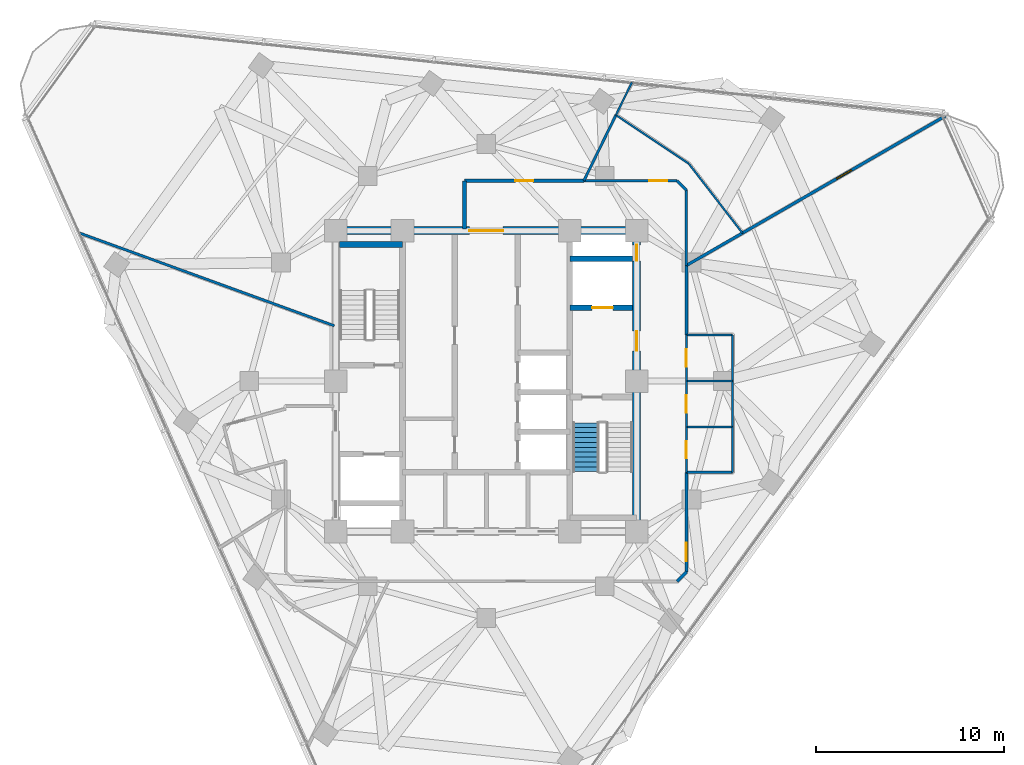
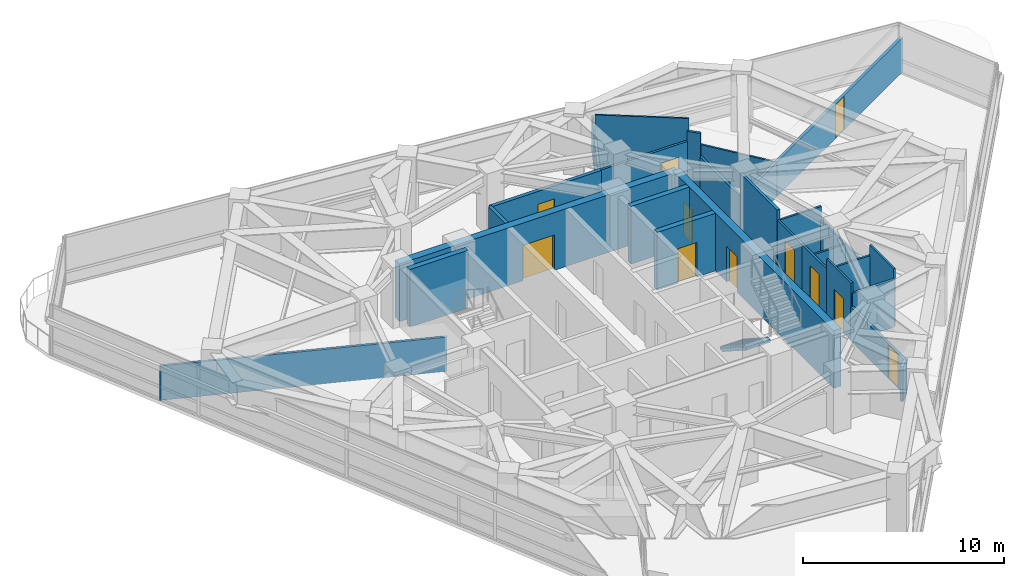
# One storey, part 9 of 14: 30 walls, 11 doors, 1 stair flight, 11 openings, 1 element without a shape of its own.
"""IFC4 building model written with IfcOpenShell, lengths in metres."""

from ifc_helpers import new_model, si_unit, direction, frame, frame_2d, origin, place, context, subcontext, project, spatial, polyline, rectangle, outline, extrude, material, layer, layer_set, type_object, element, fill, aggregate, save


model = new_model("IFC4")

# Units and contexts
model_context = context("Model", 3, precision=1e-05, world=origin(), true_north=direction((0.0, 1.0)))
body_context = subcontext(model_context, "Body", "Model", "MODEL_VIEW")
ifc_project = project(units=[si_unit("LENGTHUNIT", "METRE"), si_unit("AREAUNIT", "SQUARE_METRE"), si_unit("VOLUMEUNIT", "CUBIC_METRE"), si_unit("PLANEANGLEUNIT", "RADIAN"), si_unit("MASSUNIT", "GRAM", prefix="KILO")], contexts=[model_context])

# Site, building, storey
site_placement = place(None, origin())
site = spatial("IfcSite", under=ifc_project, at=site_placement, CompositionType="ELEMENT")
building_placement = place(site_placement, origin())
building = spatial("IfcBuilding", under=site, at=building_placement, Name="Terralouvre Media Tower", CompositionType="ELEMENT")
storey_placement = place(building_placement, frame((0.0, 0.0, 244.800048828125)))
storey = spatial("IfcBuildingStorey", under=building, at=storey_placement, Name="L63", CompositionType="ELEMENT", Elevation=244.800048828125)

# Wall
ifc_material_1 = material(Name="Concrete C50/60", Category="concrete")
ifc_layer_1 = layer(ifc_material_1, 0.300048828125, Name="Core Internal Shaft Wall CW-300")
ifc_layer_set_1 = layer_set([ifc_layer_1], Name="Concrete C50/60")
wall_type_1 = type_object("IfcWallType", Name="Core Internal Shaft Wall CW-300", PredefinedType="SHEAR", material=ifc_layer_set_1)
wall_1_placement = place(storey_placement, frame((-7.7900390625, 7.260009765625, 0.0), z_axis=(0.0, 0.0, 1.0), x_axis=(1.0, 0.0, 0.0)))
element("IfcWall", 1, at=wall_1_placement, inside=storey, type_object=wall_type_1, Name="L63 Core Shaft Wall ST1F", PredefinedType="SHEAR", context=body_context, shape_type="SweptSolid", body=[
    extrude(rectangle(XDim=3.340087890625, YDim=0.300048828125, at=frame_2d((1.669921875, 0.0))), origin(), (0.0, 0.0, 1.0), 3.5),
])

# Wall, opening, door
wall_2_placement = place(storey_placement, frame((4.449951171875, 3.89990234375, 0.0), z_axis=(0.0, 0.0, 1.0), x_axis=(1.0, 0.0, 0.0)))
wall_2 = element("IfcWall", 2, at=wall_2_placement, inside=storey, type_object=wall_type_1, Name="L63 Core Shaft Wall FF2S", PredefinedType="SHEAR", context=body_context, shape_type="SweptSolid", body=[
    extrude(rectangle(XDim=3.340087890625, YDim=0.300048828125, at=frame_2d((1.669921875, 0.0))), origin(), (0.0, 0.0, 1.0), 3.5),
])
opening_1_placement = place(wall_2_placement, frame((1.179931640625, 0.0, 0.0)))
opening_1 = element("IfcOpeningElement", 3, at=opening_1_placement, cuts=wall_2, Name="Opening LD-FF", PredefinedType="OPENING", context=body_context, shape_type="SweptSolid", body=[
    extrude(rectangle(XDim=1.10009765625, YDim=2.10009765625, at=frame_2d((0.550048828125, 1.050048828125))), frame((0.0, 0.159912109375, 0.0), z_axis=(0.0, -1.0, 0.0), x_axis=(1.0, 0.0, 0.0)), (0.0, 0.0, 1.0), 0.320068359375),
])
ifc_material_2 = material(Name="Stainless steel 316 handrail and balustrade", Category="steel")
door_type_1 = type_object("IfcDoorType", Name="Firefighting Lift Sliding Landing Door LD-FF", OperationType="SLIDING_TO_LEFT", PredefinedType="DOOR", material=ifc_material_2)
door_1_placement = place(opening_1_placement, origin())
door_1 = element("IfcDoor", 4, at=door_1_placement, inside=storey, type_object=door_type_1, Name="L63 Firefighting Lift FFL-02 Landing Door", OperationType="SLIDING_TO_LEFT", OverallHeight=2.10009765625, OverallWidth=1.10009765625, PredefinedType="DOOR", context=body_context, shape_type="SweptSolid", body=[
    extrude(rectangle(XDim=1.10009765625, YDim=2.10009765625, at=frame_2d((0.550048828125, 1.050048828125))), frame((0.0, 0.02490234375, 0.0), z_axis=(0.0, -1.0, 0.0), x_axis=(1.0, 0.0, 0.0)), (0.0, 0.0, 1.0), 0.050048828125),
])
fill(opening_1, door_1)

# Wall
wall_3_placement = place(storey_placement, frame((4.449951171875, 6.5, 0.0), z_axis=(0.0, 0.0, 1.0), x_axis=(1.0, 0.0, 0.0)))
element("IfcWall", 5, at=wall_3_placement, inside=storey, type_object=wall_type_1, Name="L63 Core Shaft Wall FF2N", PredefinedType="SHEAR", context=body_context, shape_type="SweptSolid", body=[
    extrude(rectangle(XDim=3.340087890625, YDim=0.300048828125, at=frame_2d((1.669921875, 0.0))), origin(), (0.0, 0.0, 1.0), 3.5),
])

# Wall, openings, doors
ifc_material_3 = material(Name="Concrete C60/75", Category="concrete")
ifc_layer_2 = layer(ifc_material_3, 0.419921875, Name="Core Reinforced Concrete Shear Wall CW-420")
ifc_layer_set_2 = layer_set([ifc_layer_2], Name="Concrete C60/75")
wall_type_2 = type_object("IfcWallType", Name="Core Reinforced Concrete Shear Wall CW-420", PredefinedType="SHEAR", material=ifc_layer_set_2)
wall_4_placement = place(storey_placement, frame((8.0, -8.0, 0.0), z_axis=(0.0, 0.0, 1.0), x_axis=(0.0, 1.0, 0.0)))
wall_4 = element("IfcWall", 6, at=wall_4_placement, inside=storey, type_object=wall_type_2, Name="L63 E Core Shear Wall", PredefinedType="SHEAR", context=body_context, shape_type="SweptSolid", body=[
    extrude(rectangle(XDim=16.0, YDim=0.419921875, at=frame_2d((8.0, 0.0))), origin(), (0.0, 0.0, 1.0), 3.5),
])
opening_2_placement = place(wall_4_placement, frame((9.60009765625, 0.0, 0.0)))
opening_2 = element("IfcOpeningElement", 7, at=opening_2_placement, cuts=wall_4, Name="Opening FD-01-105X215", PredefinedType="OPENING", context=body_context, shape_type="SweptSolid", body=[
    extrude(rectangle(XDim=1.050048828125, YDim=2.14990234375, at=frame_2d((0.52490234375, 1.074951171875))), frame((0.0, 0.219970703125, 0.0), z_axis=(0.0, -1.0, 0.0), x_axis=(1.0, 0.0, 0.0)), (0.0, 0.0, 1.0), 0.43994140625),
])
opening_3_placement = place(wall_4_placement, frame((14.388671875, 0.0, 0.0)))
opening_3 = element("IfcOpeningElement", 8, at=opening_3_placement, cuts=wall_4, Name="Opening TD-R1", PredefinedType="OPENING", context=body_context, shape_type="SweptSolid", body=[
    extrude(rectangle(XDim=0.85009765625, YDim=2.02001953125, at=frame_2d((0.425048828125, 1.010009765625))), frame((0.0, 0.219970703125, 0.0), z_axis=(0.0, -1.0, 0.0), x_axis=(1.0, 0.0, 0.0)), (0.0, 0.0, 1.0), 0.43994140625),
])
ifc_material_4 = material(Name="Galvanised steel fire-resisting leaf", Category="steel")
door_type_2 = type_object("IfcDoorType", Name="Riser Inspection Access Trapdoor TD-R1", OperationType="NOTDEFINED", PredefinedType="TRAPDOOR", material=ifc_material_4)
door_2_placement = place(opening_3_placement, origin())
door_2 = element("IfcDoor", 9, at=door_2_placement, inside=storey, type_object=door_type_2, Name="L63 East Comms Riser Access Trapdoor", OperationType="SINGLE_SWING_RIGHT", OverallHeight=2.02001953125, OverallWidth=0.85009765625, PredefinedType="TRAPDOOR", context=body_context, shape_type="SweptSolid", body=[
    extrude(rectangle(XDim=0.85009765625, YDim=2.02001953125, at=frame_2d((0.425048828125, 1.010009765625))), frame((0.0, 0.02490234375, 0.0), z_axis=(0.0, -1.0, 0.0), x_axis=(1.0, 0.0, 0.0)), (0.0, 0.0, 1.0), 0.050048828125),
])
fill(opening_3, door_2)
ifc_material_5 = material(Name="Galvanised steel fire-resisting leaf", Category="steel")
door_type_3 = type_object("IfcDoorType", Name="Stair and Firefighting Lobby Fire Door FD-01 (1050x2150)", OperationType="NOTDEFINED", PredefinedType="DOOR", material=ifc_material_5)
door_3_placement = place(opening_2_placement, origin())
door_3 = element("IfcDoor", 10, at=door_3_placement, inside=storey, type_object=door_type_3, Name="L63 East Firefighting Lobby Entry Door", OperationType="SINGLE_SWING_LEFT", OverallHeight=2.14990234375, OverallWidth=1.050048828125, PredefinedType="DOOR", context=body_context, shape_type="SweptSolid", body=[
    extrude(rectangle(XDim=1.050048828125, YDim=2.14990234375, at=frame_2d((0.52490234375, 1.074951171875))), frame((0.0, 0.02490234375, 0.0), z_axis=(0.0, -1.0, 0.0), x_axis=(1.0, 0.0, 0.0)), (0.0, 0.0, 1.0), 0.050048828125),
])
fill(opening_2, door_3)

# Wall, opening, door
wall_5_placement = place(storey_placement, frame((-8.0, 8.0, 0.0), z_axis=(0.0, 0.0, 1.0), x_axis=(1.0, 0.0, 0.0)))
wall_5 = element("IfcWall", 11, at=wall_5_placement, inside=storey, type_object=wall_type_2, Name="L63 N Core Shear Wall", PredefinedType="SHEAR", context=body_context, shape_type="SweptSolid", body=[
    extrude(rectangle(XDim=16.0, YDim=0.419921875, at=frame_2d((8.0, 0.0))), origin(), (0.0, 0.0, 1.0), 3.5),
])
opening_4_placement = place(wall_5_placement, frame((7.10009765625, 0.0, 0.0)))
opening_4 = element("IfcOpeningElement", 12, at=opening_4_placement, cuts=wall_5, Name="Opening FD-03", PredefinedType="OPENING", context=body_context, shape_type="SweptSolid", body=[
    extrude(rectangle(XDim=1.800048828125, YDim=2.14990234375, at=frame_2d((0.89990234375, 1.074951171875))), frame((0.0, 0.219970703125, 0.0), z_axis=(0.0, -1.0, 0.0), x_axis=(1.0, 0.0, 0.0)), (0.0, 0.0, 1.0), 0.43994140625),
])
ifc_material_6 = material(Name="Galvanised steel fire-resisting leaf", Category="steel")
door_type_4 = type_object("IfcDoorType", Name="Corridor Smoke-Control Double Door FD-03", OperationType="DOUBLE_DOOR_SINGLE_SWING", PredefinedType="DOOR", material=ifc_material_6)
door_4_placement = place(opening_4_placement, origin())
door_4 = element("IfcDoor", 13, at=door_4_placement, inside=storey, type_object=door_type_4, Name="L63 Central Lift Lobby Portal Door", OperationType="DOUBLE_DOOR_SINGLE_SWING", OverallHeight=2.14990234375, OverallWidth=1.800048828125, PredefinedType="DOOR", context=body_context, shape_type="SweptSolid", body=[
    extrude(rectangle(XDim=1.800048828125, YDim=2.14990234375, at=frame_2d((0.89990234375, 1.074951171875))), frame((0.0, 0.02490234375, 0.0), z_axis=(0.0, -1.0, 0.0), x_axis=(1.0, 0.0, 0.0)), (0.0, 0.0, 1.0), 0.050048828125),
])
fill(opening_4, door_4)

# Walls
ifc_material_7 = material(Name="Low-iron laminated double glazing with solar-control coating", Category="glass")
ifc_layer_3 = layer(ifc_material_7, 0.10009765625, Name="Demountable Glazed Office Partition PT-GL100")
ifc_layer_set_3 = layer_set([ifc_layer_3], Name="Low-iron laminated double glazing with solar-control coating")
wall_type_3 = type_object("IfcWallType", Name="Demountable Glazed Office Partition PT-GL100", PredefinedType="MOVABLE", material=ifc_layer_set_3)
wall_6_placement = place(storey_placement, frame((6.89892578125, 14.14501953125, 0.0), z_axis=(0.0, 0.0, 1.0), x_axis=(0.831510168033, -0.555509532283, 0.0)))
element("IfcWall", 14, at=wall_6_placement, inside=storey, type_object=wall_type_3, Name="L63 Interior Partition 039", PredefinedType="MOVABLE", context=body_context, shape_type="SweptSolid", body=[
    extrude(rectangle(XDim=4.66259765625, YDim=0.10009765625, at=frame_2d((2.331298828125, 0.0))), origin(), (0.0, 0.0, 1.0), 3.5),
])
wall_7_placement = place(storey_placement, frame((10.77587890625, 11.554931640625, 0.0), z_axis=(0.0, 0.0, 1.0), x_axis=(0.612213330569, -0.790692631731, 0.0)))
element("IfcWall", 15, at=wall_7_placement, inside=storey, type_object=wall_type_3, Name="L63 Interior Partition 040", PredefinedType="MOVABLE", context=body_context, shape_type="SweptSolid", body=[
    extrude(rectangle(XDim=4.661865234375, YDim=0.10009765625, at=frame_2d((2.3310546875, 0.0))), origin(), (0.0, 0.0, 1.0), 2.0849609375),
])
wall_8_placement = place(storey_placement, frame((7.74658203125, 15.882080078125, 0.0), z_axis=(0.0, 0.0, 1.0), x_axis=(-0.438553034404, -0.898705310998, 0.0)))
element("IfcWall", 16, at=wall_8_placement, inside=storey, type_object=wall_type_3, Name="L63 Interior Partition 041", PredefinedType="MOVABLE", context=body_context, shape_type="SweptSolid", body=[
    extrude(rectangle(XDim=1.932861328125, YDim=0.10009765625, at=frame_2d((0.96630859375, 0.0))), origin(), (0.0, 0.0, 1.0), 2.0849609375),
])

# Wall, opening, door
ifc_material_8 = material(Name="Fire-rated gypsum board drywall partition")
ifc_layer_4 = layer(ifc_material_8, 0.199951171875, Name="Fire-Rated Shaft and Lobby Partition FW-200")
ifc_layer_set_4 = layer_set([ifc_layer_4], Name="Fire-rated gypsum board drywall partition")
wall_type_4 = type_object("IfcWallType", Name="Fire-Rated Shaft and Lobby Partition FW-200", PredefinedType="SOLIDWALL", material=ifc_layer_set_4)
wall_9_placement = place(storey_placement, frame((5.194091796875, 10.64990234375, 0.0), z_axis=(0.0, 0.0, 1.0), x_axis=(-1.0, 0.0, 0.0)))
wall_9 = element("IfcWall", 17, at=wall_9_placement, inside=storey, type_object=wall_type_4, Name="L63 Interior Partition 020", PredefinedType="SOLIDWALL", context=body_context, shape_type="SweptSolid", body=[
    extrude(rectangle(XDim=6.343994140625, YDim=0.199951171875, at=frame_2d((3.171875, 0.0))), origin(), (0.0, 0.0, 1.0), 2.885009765625),
])
opening_5_placement = place(wall_9_placement, frame((2.697021484375, 0.0, 0.0)))
opening_5 = element("IfcOpeningElement", 18, at=opening_5_placement, cuts=wall_9, Name="Opening FD-02-95X210", PredefinedType="OPENING", context=body_context, shape_type="SweptSolid", body=[
    extrude(rectangle(XDim=0.949951171875, YDim=2.10009765625, at=frame_2d((0.47509765625, 1.050048828125))), frame((0.0, 0.10986328125, 0.0), z_axis=(0.0, -1.0, 0.0), x_axis=(1.0, 0.0, 0.0)), (0.0, 0.0, 1.0), 0.219970703125),
])
ifc_material_9 = material(Name="Galvanised steel fire-resisting leaf", Category="steel")
door_type_5 = type_object("IfcDoorType", Name="Plant and Riser Fire Door FD-02 (950x2100)", OperationType="NOTDEFINED", PredefinedType="DOOR", material=ifc_material_9)
door_5_placement = place(opening_5_placement, origin())
door_5 = element("IfcDoor", 19, at=door_5_placement, inside=storey, type_object=door_type_5, Name="L63 Broadcast Replay Server Room 8 Door", OperationType="SINGLE_SWING_RIGHT", OverallHeight=2.10009765625, OverallWidth=0.949951171875, PredefinedType="DOOR", context=body_context, shape_type="SweptSolid", body=[
    extrude(rectangle(XDim=0.949951171875, YDim=2.10009765625, at=frame_2d((0.47509765625, 1.050048828125))), frame((0.0, 0.02490234375, 0.0), z_axis=(0.0, -1.0, 0.0), x_axis=(1.0, 0.0, 0.0)), (0.0, 0.0, 1.0), 0.050048828125),
])
fill(opening_5, door_5)

# Walls
wall_10_placement = place(storey_placement, frame((-1.14990234375, 10.64990234375, 0.0), z_axis=(0.0, 0.0, 1.0), x_axis=(0.0, -1.0, 0.0)))
element("IfcWall", 20, at=wall_10_placement, inside=storey, type_object=wall_type_4, Name="L63 Interior Partition 021", PredefinedType="SOLIDWALL", context=body_context, shape_type="SweptSolid", body=[
    extrude(rectangle(XDim=2.56982421875, YDim=0.199951171875, at=frame_2d((1.284912109375, 0.0))), origin(), (0.0, 0.0, 1.0), 2.885009765625),
])
ifc_material_10 = material(Name="Fire-rated gypsum board drywall partition")
ifc_layer_5 = layer(ifc_material_10, 0.135009765625, Name="Newsroom Acoustic Partition PT-135")
ifc_layer_set_5 = layer_set([ifc_layer_5], Name="Fire-rated gypsum board drywall partition")
wall_type_5 = type_object("IfcWallType", Name="Newsroom Acoustic Partition PT-135", PredefinedType="PARTITIONING", material=ifc_layer_set_5)
wall_11_placement = place(storey_placement, frame((10.64990234375, 6.14892578125, 0.0), z_axis=(0.0, 0.0, 1.0), x_axis=(0.0, 1.0, 0.0)))
element("IfcWall", 21, at=wall_11_placement, inside=storey, type_object=wall_type_5, Name="L63 Interior Partition 017", PredefinedType="PARTITIONING", context=body_context, shape_type="SweptSolid", body=[
    extrude(rectangle(XDim=4.0009765625, YDim=0.135009765625, at=frame_2d((2.00048828125, 0.0))), origin(), (0.0, 0.0, 1.0), 2.0849609375),
])
wall_12_placement = place(storey_placement, frame((10.64990234375, 10.14990234375, 0.0), z_axis=(0.0, 0.0, 1.0), x_axis=(-0.707106781187, 0.707106781187, 0.0)))
element("IfcWall", 22, at=wall_12_placement, inside=storey, type_object=wall_type_5, Name="L63 Interior Partition 018", PredefinedType="PARTITIONING", context=body_context, shape_type="SweptSolid", body=[
    extrude(rectangle(XDim=0.70703125, YDim=0.135009765625, at=frame_2d((0.353515625, 0.0))), origin(), (0.0, 0.0, 1.0), 3.5),
])

# Wall, opening, door
wall_13_placement = place(storey_placement, frame((10.14990234375, 10.64990234375, 0.0), z_axis=(0.0, 0.0, 1.0), x_axis=(-1.0, 0.0, 0.0)))
wall_13 = element("IfcWall", 23, at=wall_13_placement, inside=storey, type_object=wall_type_5, Name="L63 Interior Partition 019", PredefinedType="PARTITIONING", context=body_context, shape_type="SweptSolid", body=[
    extrude(rectangle(XDim=4.955810546875, YDim=0.135009765625, at=frame_2d((2.47802734375, 0.0))), origin(), (0.0, 0.0, 1.0), 2.885009765625),
])
opening_6_placement = place(wall_13_placement, frame((0.51611328125, 0.0, 0.0)))
opening_6 = element("IfcOpeningElement", 24, at=opening_6_placement, cuts=wall_13, Name="Opening ID-02-95X210", PredefinedType="OPENING", context=body_context, shape_type="SweptSolid", body=[
    extrude(rectangle(XDim=0.949951171875, YDim=2.10009765625, at=frame_2d((0.47509765625, 1.050048828125))), frame((0.0, 0.077392578125, 0.0), z_axis=(0.0, -1.0, 0.0), x_axis=(1.0, 0.0, 0.0)), (0.0, 0.0, 1.0), 0.155029296875),
])
ifc_material_11 = material(Name="Engineered hardwood acoustic timber leaf", Category="wood")
door_type_6 = type_object("IfcDoorType", Name="Office and Meeting Room Door ID-02 (950x2100)", OperationType="NOTDEFINED", PredefinedType="DOOR", material=ifc_material_11)
door_6_placement = place(opening_6_placement, origin())
door_6 = element("IfcDoor", 25, at=door_6_placement, inside=storey, type_object=door_type_6, Name="L63 Presenter Makeup and Wardrobe Closet 7 Door", OperationType="SINGLE_SWING_LEFT", OverallHeight=2.10009765625, OverallWidth=0.949951171875, PredefinedType="DOOR", context=body_context, shape_type="SweptSolid", body=[
    extrude(rectangle(XDim=0.949951171875, YDim=2.10009765625, at=frame_2d((0.47509765625, 1.050048828125))), frame((0.0, 0.02490234375, 0.0), z_axis=(0.0, -1.0, 0.0), x_axis=(1.0, 0.0, 0.0)), (0.0, 0.0, 1.0), 0.050048828125),
])
fill(opening_6, door_6)

# Walls
wall_14_placement = place(storey_placement, frame((-8.080078125, 2.940673828125, 0.0), z_axis=(0.0, 0.0, 1.0), x_axis=(-0.939685602892, 0.342039424216, 0.0)))
element("IfcWall", 26, at=wall_14_placement, inside=storey, type_object=wall_type_5, Name="L63 Interior Partition 024", PredefinedType="PARTITIONING", context=body_context, shape_type="SweptSolid", body=[
    extrude(rectangle(XDim=14.484619140625, YDim=0.135009765625, at=frame_2d((7.2421875, 0.0))), origin(), (0.0, 0.0, 1.0), 2.0849609375),
])
wall_15_placement = place(storey_placement, frame((6.89892578125, 14.14501953125, 0.0), z_axis=(0.0, 0.0, 1.0), x_axis=(-0.438402604201, -0.898778702813, 0.0)))
element("IfcWall", 27, at=wall_15_placement, inside=storey, type_object=wall_type_5, Name="L63 Interior Partition 042", PredefinedType="PARTITIONING", context=body_context, shape_type="SweptSolid", body=[
    extrude(rectangle(XDim=3.888671875, YDim=0.135009765625, at=frame_2d((1.9443359375, 0.0))), origin(), (0.0, 0.0, 1.0), 2.0849609375),
])

# Wall, opening, door
ifc_material_12 = material(Name="Fire-rated gypsum board drywall partition")
ifc_layer_6 = layer(ifc_material_12, 0.114990234375, Name="Restroom and Pantry Partition PT-115")
ifc_layer_set_6 = layer_set([ifc_layer_6], Name="Fire-rated gypsum board drywall partition")
wall_type_6 = type_object("IfcWallType", Name="Restroom and Pantry Partition PT-115", PredefinedType="PARTITIONING", material=ifc_layer_set_6)
wall_16_placement = place(storey_placement, frame((10.64990234375, -4.85009765625, 0.0), z_axis=(0.0, 0.0, 1.0), x_axis=(0.0, 1.0, 0.0)))
wall_16 = element("IfcWall", 28, at=wall_16_placement, inside=storey, type_object=wall_type_6, Name="L63 Interior Partition 010", PredefinedType="PARTITIONING", context=body_context, shape_type="SweptSolid", body=[
    extrude(rectangle(XDim=2.400146484375, YDim=0.114990234375, at=frame_2d((1.2001953125, 0.0))), origin(), (0.0, 0.0, 1.0), 3.5),
])
opening_7_placement = place(wall_16_placement, frame((0.739990234375, 0.0, 0.0)))
opening_7 = element("IfcOpeningElement", 29, at=opening_7_placement, cuts=wall_16, Name="Opening ID-03-92X210", PredefinedType="OPENING", context=body_context, shape_type="SweptSolid", body=[
    extrude(rectangle(XDim=0.919921875, YDim=2.10009765625, at=frame_2d((0.4599609375, 1.050048828125))), frame((0.0, 0.0673828125, 0.0), z_axis=(0.0, -1.0, 0.0), x_axis=(1.0, 0.0, 0.0)), (0.0, 0.0, 1.0), 0.135009765625),
])
ifc_material_13 = material(Name="Engineered hardwood acoustic timber leaf", Category="wood")
door_type_7 = type_object("IfcDoorType", Name="Accessible Restroom and Suite Door ID-03 (920x2100)", OperationType="NOTDEFINED", PredefinedType="DOOR", material=ifc_material_13)
door_7_placement = place(opening_7_placement, origin())
door_7 = element("IfcDoor", 30, at=door_7_placement, inside=storey, type_object=door_type_7, Name="L63 Male Restroom WC Door", OperationType="SINGLE_SWING_LEFT", OverallHeight=2.10009765625, OverallWidth=0.919921875, PredefinedType="DOOR", context=body_context, shape_type="SweptSolid", body=[
    extrude(rectangle(XDim=0.919921875, YDim=2.10009765625, at=frame_2d((0.4599609375, 1.050048828125))), frame((0.0, 0.02490234375, 0.0), z_axis=(0.0, -1.0, 0.0), x_axis=(1.0, 0.0, 0.0)), (0.0, 0.0, 1.0), 0.050048828125),
])
fill(opening_7, door_7)

wall_17_placement = place(storey_placement, frame((10.64990234375, -2.449951171875, 0.0), z_axis=(0.0, 0.0, 1.0), x_axis=(0.0, 1.0, 0.0)))
wall_17 = element("IfcWall", 31, at=wall_17_placement, inside=storey, type_object=wall_type_6, Name="L63 Interior Partition 011", PredefinedType="PARTITIONING", context=body_context, shape_type="SweptSolid", body=[
    extrude(rectangle(XDim=2.449951171875, YDim=0.114990234375, at=frame_2d((1.22509765625, 0.0))), origin(), (0.0, 0.0, 1.0), 2.885009765625),
])
opening_8_placement = place(wall_17_placement, frame((0.764892578125, 0.0, 0.0)))
opening_8 = element("IfcOpeningElement", 32, at=opening_8_placement, cuts=wall_17, Name="Opening ID-03-92X210", PredefinedType="OPENING", context=body_context, shape_type="SweptSolid", body=[
    extrude(rectangle(XDim=0.919921875, YDim=2.10009765625, at=frame_2d((0.4599609375, 1.050048828125))), frame((0.0, 0.0673828125, 0.0), z_axis=(0.0, -1.0, 0.0), x_axis=(1.0, 0.0, 0.0)), (0.0, 0.0, 1.0), 0.135009765625),
])
door_8_placement = place(opening_8_placement, origin())
door_8 = element("IfcDoor", 33, at=door_8_placement, inside=storey, type_object=door_type_7, Name="L63 Female Restroom WC Door", OperationType="SINGLE_SWING_RIGHT", OverallHeight=2.10009765625, OverallWidth=0.919921875, PredefinedType="DOOR", context=body_context, shape_type="SweptSolid", body=[
    extrude(rectangle(XDim=0.919921875, YDim=2.10009765625, at=frame_2d((0.4599609375, 1.050048828125))), frame((0.0, 0.02490234375, 0.0), z_axis=(0.0, -1.0, 0.0), x_axis=(1.0, 0.0, 0.0)), (0.0, 0.0, 1.0), 0.050048828125),
])
fill(opening_8, door_8)

wall_18_placement = place(storey_placement, frame((10.64990234375, 0.0, 0.0), z_axis=(0.0, 0.0, 1.0), x_axis=(0.0, 1.0, 0.0)))
wall_18 = element("IfcWall", 34, at=wall_18_placement, inside=storey, type_object=wall_type_6, Name="L63 Interior Partition 012", PredefinedType="PARTITIONING", context=body_context, shape_type="SweptSolid", body=[
    extrude(rectangle(XDim=2.449951171875, YDim=0.114990234375, at=frame_2d((1.22509765625, 0.0))), origin(), (0.0, 0.0, 1.0), 2.885009765625),
])
opening_9_placement = place(wall_18_placement, frame((0.764892578125, 0.0, 0.0)))
opening_9 = element("IfcOpeningElement", 35, at=opening_9_placement, cuts=wall_18, Name="Opening ID-03-92X210", PredefinedType="OPENING", context=body_context, shape_type="SweptSolid", body=[
    extrude(rectangle(XDim=0.919921875, YDim=2.10009765625, at=frame_2d((0.4599609375, 1.050048828125))), frame((0.0, 0.0673828125, 0.0), z_axis=(0.0, -1.0, 0.0), x_axis=(1.0, 0.0, 0.0)), (0.0, 0.0, 1.0), 0.135009765625),
])
door_9_placement = place(opening_9_placement, origin())
door_9 = element("IfcDoor", 36, at=door_9_placement, inside=storey, type_object=door_type_7, Name="L63 Accessible Unisex WC Door", OperationType="SINGLE_SWING_LEFT", OverallHeight=2.10009765625, OverallWidth=0.919921875, PredefinedType="DOOR", context=body_context, shape_type="SweptSolid", body=[
    extrude(rectangle(XDim=0.919921875, YDim=2.10009765625, at=frame_2d((0.4599609375, 1.050048828125))), frame((0.0, 0.02490234375, 0.0), z_axis=(0.0, -1.0, 0.0), x_axis=(1.0, 0.0, 0.0)), (0.0, 0.0, 1.0), 0.050048828125),
])
fill(opening_9, door_9)

# Walls
for number, where, z_axis, x_axis, name in (
    (37, (13.10009765625, -2.449951171875, 0.0), (0.0, 0.0, 1.0), (-1.0, 0.0, 0.0), "L63 Interior Partition 030"),
    (38, (10.64990234375, -4.85009765625, 0.0), (0.0, 0.0, 1.0), (1.0, 0.0, 0.0), "L63 Interior Partition 031"),
):
    element("IfcWall", number, at=place(storey_placement, frame(where, z_axis=z_axis, x_axis=x_axis)), inside=storey, type_object=wall_type_6, Name=name, PredefinedType="PARTITIONING", context=body_context, shape_type="SweptSolid", body=[
        extrude(rectangle(XDim=2.4501953125, YDim=0.114990234375, at=frame_2d((1.22509765625, 0.0))), origin(), (0.0, 0.0, 1.0), 2.885009765625),
    ])
wall_19_placement = place(storey_placement, frame((13.10009765625, -4.85009765625, 0.0), z_axis=(0.0, 0.0, 1.0), x_axis=(0.0, 1.0, 0.0)))
element("IfcWall", 39, at=wall_19_placement, inside=storey, type_object=wall_type_6, Name="L63 Interior Partition 032", PredefinedType="PARTITIONING", context=body_context, shape_type="SweptSolid", body=[
    extrude(rectangle(XDim=2.400146484375, YDim=0.114990234375, at=frame_2d((1.2001953125, 0.0))), origin(), (0.0, 0.0, 1.0), 3.5),
])
wall_20_placement = place(storey_placement, frame((13.10009765625, 0.0, 0.0), z_axis=(0.0, 0.0, 1.0), x_axis=(-1.0, 0.0, 0.0)))
element("IfcWall", 40, at=wall_20_placement, inside=storey, type_object=wall_type_6, Name="L63 Interior Partition 033", PredefinedType="PARTITIONING", context=body_context, shape_type="SweptSolid", body=[
    extrude(rectangle(XDim=2.4501953125, YDim=0.114990234375, at=frame_2d((1.22509765625, 0.0))), origin(), (0.0, 0.0, 1.0), 2.0849609375),
])
for number, where, z_axis, x_axis, name in (
    (41, (13.10009765625, -2.449951171875, 0.0), (0.0, 0.0, 1.0), (0.0, 1.0, 0.0), "L63 Interior Partition 034"),
    (42, (13.10009765625, 0.0, 0.0), (0.0, 0.0, 1.0), (0.0, 1.0, 0.0), "L63 Interior Partition 035"),
):
    element("IfcWall", number, at=place(storey_placement, frame(where, z_axis=z_axis, x_axis=x_axis)), inside=storey, type_object=wall_type_6, Name=name, PredefinedType="PARTITIONING", context=body_context, shape_type="SweptSolid", body=[
        extrude(rectangle(XDim=2.449951171875, YDim=0.114990234375, at=frame_2d((1.22509765625, 0.0))), origin(), (0.0, 0.0, 1.0), 2.0849609375),
    ])
wall_21_placement = place(storey_placement, frame((13.10009765625, 2.449951171875, 0.0), z_axis=(0.0, 0.0, 1.0), x_axis=(-1.0, 0.0, 0.0)))
element("IfcWall", 43, at=wall_21_placement, inside=storey, type_object=wall_type_6, Name="L63 Interior Partition 036", PredefinedType="PARTITIONING", context=body_context, shape_type="SweptSolid", body=[
    extrude(rectangle(XDim=2.4501953125, YDim=0.114990234375, at=frame_2d((1.22509765625, 0.0))), origin(), (0.0, 0.0, 1.0), 2.885009765625),
])
ifc_material_14 = material(Name="Fire-rated gypsum board drywall partition")
ifc_layer_7 = layer(ifc_material_14, 0.159912109375, Name="Studio Acoustic Rated Partition PT-160")
ifc_layer_set_7 = layer_set([ifc_layer_7], Name="Fire-rated gypsum board drywall partition")
wall_type_7 = type_object("IfcWallType", Name="Studio Acoustic Rated Partition PT-160", PredefinedType="PARTITIONING", material=ifc_layer_set_7)
wall_22_placement = place(storey_placement, frame((10.14990234375, -10.64990234375, 0.0), z_axis=(0.0, 0.0, 1.0), x_axis=(0.707106781187, 0.707106781187, 0.0)))
element("IfcWall", 44, at=wall_22_placement, inside=storey, type_object=wall_type_7, Name="L63 Interior Partition 014", PredefinedType="PARTITIONING", context=body_context, shape_type="SweptSolid", body=[
    extrude(rectangle(XDim=0.70703125, YDim=0.159912109375, at=frame_2d((0.353515625, 0.0))), origin(), (0.0, 0.0, 1.0), 2.0849609375),
])

# Wall, opening, door
wall_23_placement = place(storey_placement, frame((10.64990234375, -10.14990234375, 0.0), z_axis=(0.0, 0.0, 1.0), x_axis=(0.0, 1.0, 0.0)))
wall_23 = element("IfcWall", 45, at=wall_23_placement, inside=storey, type_object=wall_type_7, Name="L63 Interior Partition 015", PredefinedType="PARTITIONING", context=body_context, shape_type="SweptSolid", body=[
    extrude(rectangle(XDim=5.2998046875, YDim=0.159912109375, at=frame_2d((2.64990234375, 0.0))), origin(), (0.0, 0.0, 1.0), 2.0849609375),
])
opening_10_placement = place(wall_23_placement, frame((0.56005859375, 0.0, 0.0)))
opening_10 = element("IfcOpeningElement", 46, at=opening_10_placement, cuts=wall_23, Name="Opening ID-01-100X206", PredefinedType="OPENING", context=body_context, shape_type="SweptSolid", body=[
    extrude(rectangle(XDim=1.0, YDim=2.034912109375, at=frame_2d((0.5, 1.017578125))), frame((0.0, 0.08984375, 0.0), z_axis=(0.0, -1.0, 0.0), x_axis=(1.0, 0.0, 0.0)), (0.0, 0.0, 1.0), 0.179931640625),
])
ifc_material_15 = material(Name="Engineered hardwood acoustic timber leaf", Category="wood")
door_type_8 = type_object("IfcDoorType", Name="Broadcast Studio Acoustic Single Door ID-01 (1000x2065)", OperationType="NOTDEFINED", PredefinedType="DOOR", material=ifc_material_15)
door_10_placement = place(opening_10_placement, origin())
door_10 = element("IfcDoor", 47, at=door_10_placement, inside=storey, type_object=door_type_8, Name="L63 Tournament Highlights Cinema 5 Door", OperationType="SINGLE_SWING_RIGHT", OverallHeight=2.034912109375, OverallWidth=1.0, PredefinedType="DOOR", context=body_context, shape_type="SweptSolid", body=[
    extrude(rectangle(XDim=1.0, YDim=2.034912109375, at=frame_2d((0.5, 1.017578125))), frame((0.0, 0.02490234375, 0.0), z_axis=(0.0, -1.0, 0.0), x_axis=(1.0, 0.0, 0.0)), (0.0, 0.0, 1.0), 0.050048828125),
])
fill(opening_10, door_10)

# Wall
wall_24_placement = place(storey_placement, frame((10.64990234375, 2.449951171875, 0.0), z_axis=(0.0, 0.0, 1.0), x_axis=(0.0, 1.0, 0.0)))
element("IfcWall", 48, at=wall_24_placement, inside=storey, type_object=wall_type_7, Name="L63 Interior Partition 016", PredefinedType="PARTITIONING", context=body_context, shape_type="SweptSolid", body=[
    extrude(rectangle(XDim=3.698974609375, YDim=0.159912109375, at=frame_2d((1.849609375, 0.0))), origin(), (0.0, 0.0, 1.0), 3.5),
])

# Wall, opening, door
wall_25_placement = place(storey_placement, frame((24.431640625, 14.105712890625, 0.0), z_axis=(0.0, 0.0, 1.0), x_axis=(-0.866010870421, -0.500025171679, 0.0)))
wall_25 = element("IfcWall", 49, at=wall_25_placement, inside=storey, type_object=wall_type_7, Name="L63 Interior Partition 037", PredefinedType="PARTITIONING", context=body_context, shape_type="SweptSolid", body=[
    extrude(rectangle(XDim=12.472900390625, YDim=0.159912109375, at=frame_2d((6.236328125, 0.0))), origin(), (0.0, 0.0, 1.0), 2.0849609375),
])
opening_11_placement = place(wall_25_placement, frame((5.7763671875, 0.0, 0.0)))
opening_11 = element("IfcOpeningElement", 50, at=opening_11_placement, cuts=wall_25, Name="Opening ID-03-92X206", PredefinedType="OPENING", context=body_context, shape_type="SweptSolid", body=[
    extrude(rectangle(XDim=0.919921875, YDim=2.034912109375, at=frame_2d((0.4599609375, 1.017578125))), frame((0.0, 0.08984375, 0.0), z_axis=(0.0, -1.0, 0.0), x_axis=(1.0, 0.0, 0.0)), (0.0, 0.0, 1.0), 0.179931640625),
])
ifc_material_16 = material(Name="Engineered hardwood acoustic timber leaf", Category="wood")
door_type_9 = type_object("IfcDoorType", Name="Accessible Restroom and Suite Door ID-03 (920x2065)", OperationType="NOTDEFINED", PredefinedType="DOOR", material=ifc_material_16)
door_11_placement = place(opening_11_placement, origin())
door_11 = element("IfcDoor", 51, at=door_11_placement, inside=storey, type_object=door_type_9, Name="L63 Event Planning Conference Room 6 Door", OperationType="SINGLE_SWING_RIGHT", OverallHeight=2.034912109375, OverallWidth=0.919921875, PredefinedType="DOOR", context=body_context, shape_type="SweptSolid", body=[
    extrude(rectangle(XDim=0.919921875, YDim=2.034912109375, at=frame_2d((0.4599609375, 1.017578125))), frame((0.0, 0.02490234375, 0.0), z_axis=(0.0, -1.0, 0.0), x_axis=(1.0, 0.0, 0.0)), (0.0, 0.0, 1.0), 0.050048828125),
])
fill(opening_11, door_11)

# Wall
wall_26_placement = place(storey_placement, frame((13.6298828125, 7.868896484375, 0.0), z_axis=(0.0, 0.0, 1.0), x_axis=(-0.866091067331, -0.499886250151, 0.0)))
element("IfcWall", 52, at=wall_26_placement, inside=storey, type_object=wall_type_7, Name="L63 Interior Partition 038", PredefinedType="PARTITIONING", context=body_context, shape_type="SweptSolid", body=[
    extrude(rectangle(XDim=3.440673828125, YDim=0.159912109375, at=frame_2d((1.72021484375, 0.0))), origin(), (0.0, 0.0, 1.0), 2.0849609375),
])

# Stair, stair flight
ifc_material_17 = material(Name="Concrete C45/55", Category="concrete")
stair_type = type_object("IfcStairType", Name="Dogleg Stair Assembly ST-02", PredefinedType="HALF_TURN_STAIR", material=ifc_material_17)
stair_placement = place(storey_placement, origin())
stair = element("IfcStair", 53, at=stair_placement, inside=storey, type_object=stair_type, Name="L63 Core Pressurised Exit Stair ST-02", PredefinedType="HALF_TURN_STAIR")
ifc_material_18 = material(Name="Concrete C45/55", Category="concrete")
stair_flight_type = type_object("IfcStairFlightType", Name="Reinforced Concrete Stair Flight SF-RC1", PredefinedType="STRAIGHT", material=ifc_material_18)
stair_flight_placement = place(storey_placement, frame((5.300048828125, -2.219970703125, 0.0), z_axis=(0.0, 0.0, 1.0), x_axis=(0.0, -1.0, 0.0)))
stair_flight = element("IfcStairFlight", 54, at=stair_flight_placement, type_object=stair_flight_type, Name="ST-02 flight 1", NumberOfRisers=11, NumberOfTreads=10, PredefinedType="STRAIGHT", RiserHeight=0.168181818, TreadLength=0.26, context=body_context, shape_type="SweptSolid", body=[
    extrude(outline(polyline([(0.0, 0.0), (0.0, 0.168212890625), (0.260009765625, 0.168212890625), (0.260009765625, 0.33642578125), (0.52001953125, 0.33642578125), (0.52001953125, 0.504638671875), (0.780029296875, 0.504638671875), (0.780029296875, 0.672607421875), (1.0400390625, 0.672607421875), (1.0400390625, 0.8408203125), (1.300048828125, 0.8408203125), (1.300048828125, 1.009033203125), (1.56005859375, 1.009033203125), (1.56005859375, 1.17724609375), (1.820068359375, 1.17724609375), (1.820068359375, 1.345458984375), (2.080078125, 1.345458984375), (2.080078125, 1.513671875), (2.340087890625, 1.513671875), (2.340087890625, 1.681884765625), (2.60009765625, 1.681884765625), (2.60009765625, 1.85009765625), (2.60009765625, 1.503173828125), (0.27587890625, 0.0), (0.0, 0.0)])), frame((0.0, 0.699951171875, 0.0), z_axis=(0.0, -1.0, 0.0), x_axis=(1.0, 0.0, 0.0)), (0.0, 0.0, 1.0), 1.39990234375),
])
aggregate(stair, [stair_flight])

save(model, "model.ifc")
